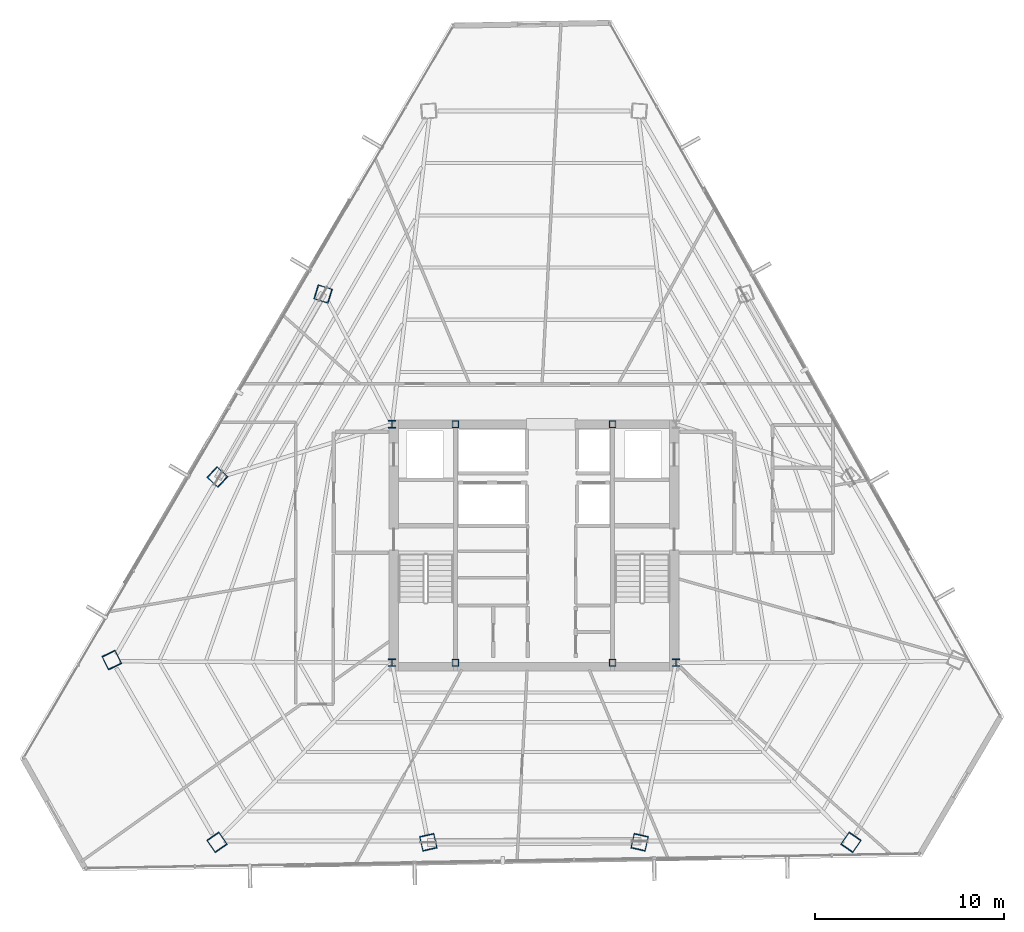
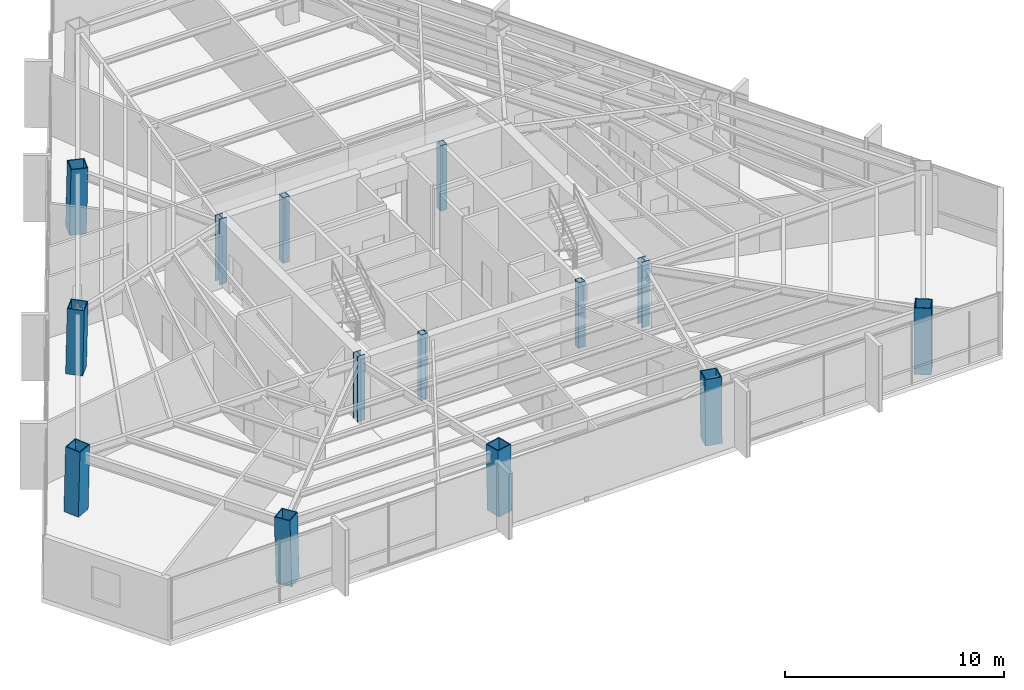
# One storey, part 1 of 42: 14 columns.
"""IFC4 building model written with IfcOpenShell, lengths in metres."""

from ifc_helpers import new_model, si_unit, direction, frame, origin, origin_2d, place, context, subcontext, project, spatial, hollow_rectangle, i_section, extrude, source, transform, mapped, material, material_profile, profile_set, type_object, type_shapes, element, save


model = new_model("IFC4")

# Units and contexts
model_context = context("Model", 3, precision=1e-05, world=origin(), true_north=direction((0.0, 1.0)))
body_context = subcontext(model_context, "Body", "Model", "MODEL_VIEW")
ifc_project = project(units=[si_unit("LENGTHUNIT", "METRE"), si_unit("AREAUNIT", "SQUARE_METRE"), si_unit("VOLUMEUNIT", "CUBIC_METRE"), si_unit("PLANEANGLEUNIT", "RADIAN"), si_unit("MASSUNIT", "GRAM", prefix="KILO")], contexts=[model_context])

# Site, building, storey
site_placement = place(None, origin())
site = spatial("IfcSite", under=ifc_project, at=site_placement, CompositionType="ELEMENT")
building_placement = place(site_placement, origin())
building = spatial("IfcBuilding", under=site, at=building_placement, Name="Caelisora Broadcast Tower", CompositionType="ELEMENT")
storey_placement = place(building_placement, frame((0.0, 0.0, 184.050048828125)))
storey = spatial("IfcBuildingStorey", under=building, at=storey_placement, Name="L48", CompositionType="ELEMENT", Elevation=184.050048828125)

# Columns
ifc_material_1 = material(Name="Steel Grade 350 (AS/NZS 3679.2)", Category="steel")
ifc_material_profile_1 = material_profile(ifc_material_1, i_section(OverallWidth=0.39990234375, OverallDepth=0.39990234375, WebThickness=0.02001953125, FlangeThickness=0.031982421875, at=origin_2d()), Name="Steel Grade 350 (AS/NZS 3679.2)")
ifc_profile_set_1 = profile_set([ifc_material_profile_1], Name="Steel Grade 350 (AS/NZS 3679.2)")
column_type_1 = type_object("IfcColumnType", Name="CC02", PredefinedType="COLUMN", material=ifc_profile_set_1)
shared_shape_1 = source(origin(), body_context, "Body", "SweptSolid", [
    extrude(i_section(OverallWidth=0.39990234375, OverallDepth=0.39990234375, WebThickness=0.02001953125, FlangeThickness=0.031982421875, at=origin_2d()), origin(), (0.0, 0.0, 1.0), 3.64990234375),
])
type_shapes(column_type_1, [shared_shape_1])
for number, where, z_axis, x_axis, name in (
    (1, (30.5, 17.39990234375, 0.0), (0.0, 0.0, 1.0), (1.0, 0.0, 0.0), "L48 column CC02"),
    (2, (45.5, 17.39990234375, 0.0), (0.0, 0.0, 1.0), (1.0, 0.0, 0.0), "L48 column CC02"),
    (3, (30.5, 30.0, 0.0), (0.0, 0.0, 1.0), (1.0, 0.0, 0.0), "L48 column CC02"),
):
    element("IfcColumn", number, at=place(storey_placement, frame(where, z_axis=z_axis, x_axis=x_axis)), inside=storey, type_object=column_type_1, Name=name, PredefinedType="COLUMN", context=body_context, shape_type="MappedRepresentation", body=[
        mapped(shared_shape_1, transform((0.0, 0.0, 0.0), scale=1.0)),
    ])
ifc_material_2 = material(Name="Steel Grade 350 (AS/NZS 1163 C350L0)", Category="steel")
ifc_material_profile_2 = material_profile(ifc_material_2, hollow_rectangle(XDim=0.35009765625, YDim=0.35009765625, WallThickness=0.01611328125, at=origin_2d()), Name="Steel Grade 350 (AS/NZS 1163 C350L0)")
ifc_profile_set_2 = profile_set([ifc_material_profile_2], Name="Steel Grade 350 (AS/NZS 1163 C350L0)")
column_type_2 = type_object("IfcColumnType", Name="CC07", PredefinedType="COLUMN", material=ifc_profile_set_2)
shared_shape_2 = source(origin(), body_context, "Body", "SweptSolid", [
    extrude(hollow_rectangle(XDim=0.35009765625, YDim=0.35009765625, WallThickness=0.01611328125, at=origin_2d()), origin(), (0.0, 0.0, 1.0), 3.64990234375),
])
type_shapes(column_type_2, [shared_shape_2])
for number, where, z_axis, x_axis, name in (
    (4, (33.85009765625, 17.39990234375, 0.0), (0.0, 0.0, 1.0), (1.0, 0.0, 0.0), "L48 column CC07"),
    (5, (42.14990234375, 17.39990234375, 0.0), (0.0, 0.0, 1.0), (1.0, 0.0, 0.0), "L48 column CC07"),
    (6, (33.85009765625, 30.0, 0.0), (0.0, 0.0, 1.0), (1.0, 0.0, 0.0), "L48 column CC07"),
    (7, (42.14990234375, 30.0, 0.0), (0.0, 0.0, 1.0), (1.0, 0.0, 0.0), "L48 column CC07"),
):
    element("IfcColumn", number, at=place(storey_placement, frame(where, z_axis=z_axis, x_axis=x_axis)), inside=storey, type_object=column_type_2, Name=name, PredefinedType="COLUMN", context=body_context, shape_type="MappedRepresentation", body=[
        mapped(shared_shape_2, transform((0.0, 0.0, 0.0), scale=1.0)),
    ])
ifc_material_3 = material(Name="Steel Grade 350 L15 (AS/NZS 3678)", Category="steel")
ifc_material_profile_3 = material_profile(ifc_material_3, hollow_rectangle(XDim=0.800048828125, YDim=0.800048828125, WallThickness=0.044921875, at=origin_2d()), Name="Steel Grade 350 L15 (AS/NZS 3678)")
ifc_profile_set_3 = profile_set([ifc_material_profile_3], Name="Steel Grade 350 L15 (AS/NZS 3678)")
column_type_3 = type_object("IfcColumnType", Name="MC05", PredefinedType="COLUMN", material=ifc_profile_set_3)
shared_shape_3 = source(origin(), body_context, "Body", "SweptSolid", [
    extrude(hollow_rectangle(XDim=0.800048828125, YDim=0.800048828125, WallThickness=0.044921875, at=origin_2d()), origin(), (0.0, 0.0, 1.0), 3.65087890625),
])
for number, where, z_axis, x_axis, name in (
    (8, (15.686279296875, 17.5537109375, 0.0), (0.010431795422, -0.021532295679, 0.999713727968), (0.899947055326, 0.435999194506, 0.0), "L48 column MC05"),
    (9, (21.260498046875, 7.89892578125, 0.0), (-0.013440967269, 0.019793663242, 0.999713734673), (-0.827290216258, -0.561774775229, 0.0), "L48 column MC05"),
    (10, (54.739501953125, 7.89892578125, 0.0), (0.013440967269, 0.019793663242, 0.999713734673), (-0.827290216258, 0.561774775229, 0.0), "L48 column MC05"),
):
    element("IfcColumn", number, at=place(storey_placement, frame(where, z_axis=z_axis, x_axis=x_axis)), inside=storey, type_object=column_type_3, Name=name, PredefinedType="COLUMN", context=body_context, shape_type="MappedRepresentation", body=[
        mapped(shared_shape_3, transform((0.0, 0.0, 0.0), scale=1.0)),
    ])
shared_shape_4 = source(origin(), body_context, "Body", "SweptSolid", [
    extrude(hollow_rectangle(XDim=0.800048828125, YDim=0.800048828125, WallThickness=0.044921875, at=origin_2d()), origin(), (0.0, 0.0, 1.0), 3.650634765625),
])
type_shapes(column_type_3, [shared_shape_3, shared_shape_4])
for number, where, z_axis, x_axis, name in (
    (11, (26.845947265625, 36.8828125, 0.0), (0.019393993486, -0.006018825565, 0.999793802119), (0.296399214872, 0.955064136811, 0.0), "L48 column MC05"),
    (12, (21.26611328125, 27.21826171875, 0.0), (0.014913313399, -0.013776424037, 0.999793880369), (0.678553674548, 0.734550822447, 0.0), "L48 column MC05"),
    (13, (32.420166015625, 7.89892578125, 0.0), (-0.004480682206, 0.019795252729, 0.999794014513), (-0.975326687046, -0.220766513622, 0.0), "L48 column MC05"),
    (14, (43.579833984375, 7.89892578125, 0.0), (0.004480682206, 0.019795252729, 0.999794014513), (-0.975326687046, 0.220766513622, 0.0), "L48 column MC05"),
):
    element("IfcColumn", number, at=place(storey_placement, frame(where, z_axis=z_axis, x_axis=x_axis)), inside=storey, type_object=column_type_3, Name=name, PredefinedType="COLUMN", context=body_context, shape_type="MappedRepresentation", body=[
        mapped(shared_shape_4, transform((0.0, 0.0, 0.0), scale=1.0)),
    ])

save(model, "model.ifc")
